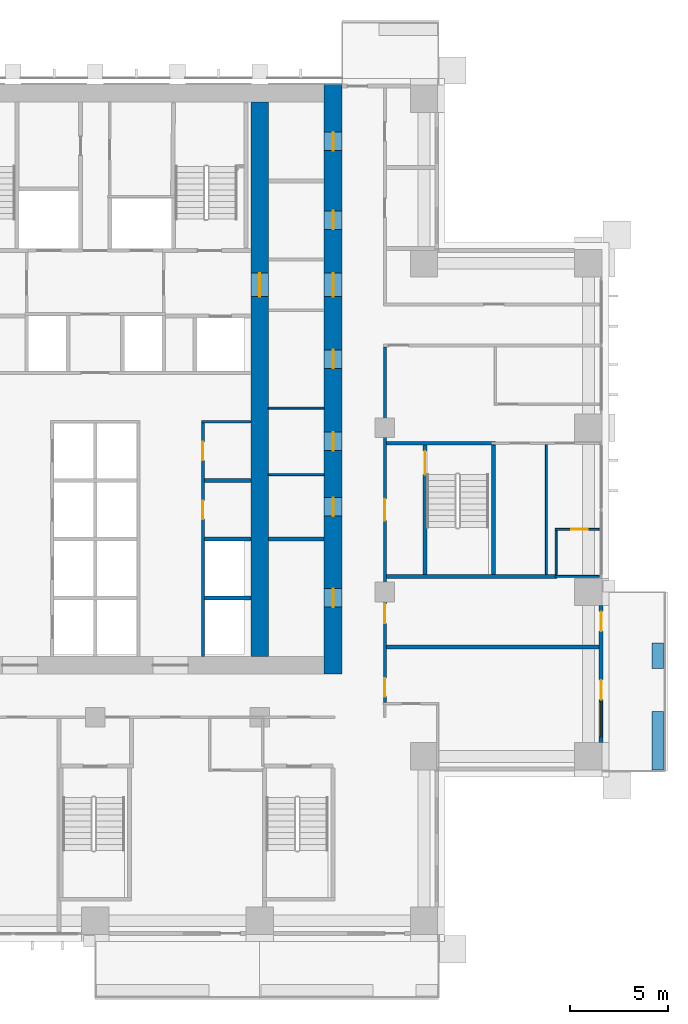
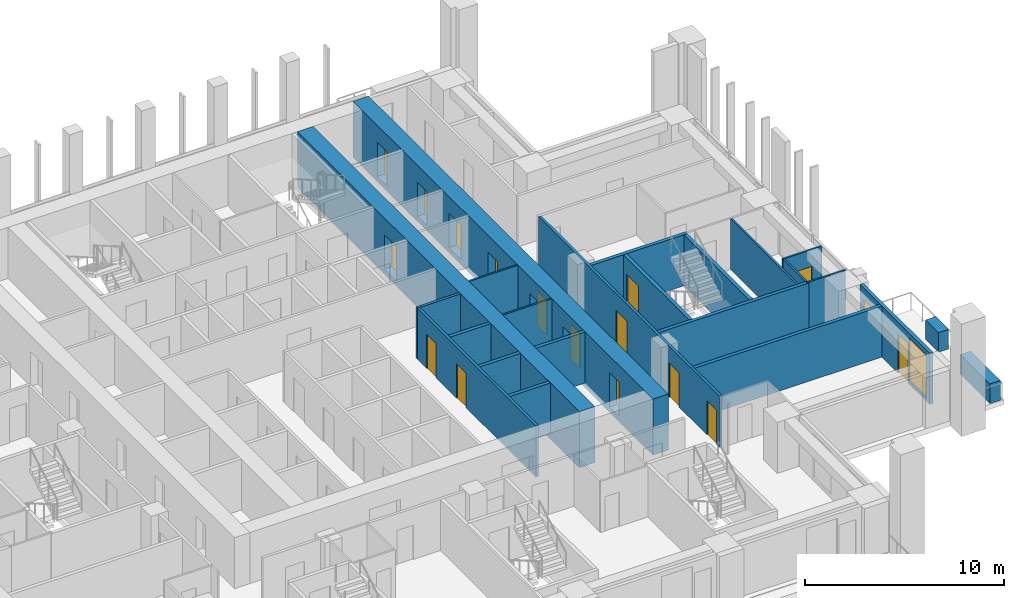
# One storey, part 11 of 19: 23 walls, 17 doors, 1 window, 18 openings.
"""IFC4 building model written with IfcOpenShell, lengths in metres."""

from ifc_helpers import new_model, si_unit, direction, frame, frame_2d, origin, place, context, subcontext, project, spatial, rectangle, extrude, material, layer, layer_set, type_object, element, fill, save


model = new_model("IFC4")

# Units and contexts
model_context = context("Model", 3, precision=1e-05, world=origin(), true_north=direction((0.0, 1.0)))
body_context = subcontext(model_context, "Body", "Model", "MODEL_VIEW")
ifc_project = project(units=[si_unit("LENGTHUNIT", "METRE"), si_unit("AREAUNIT", "SQUARE_METRE"), si_unit("VOLUMEUNIT", "CUBIC_METRE"), si_unit("PLANEANGLEUNIT", "RADIAN"), si_unit("MASSUNIT", "GRAM", prefix="KILO")], contexts=[model_context])

# Site, building, storey
site_placement = place(None, origin())
site = spatial("IfcSite", under=ifc_project, at=site_placement, CompositionType="ELEMENT")
building_placement = place(site_placement, origin())
building = spatial("IfcBuilding", under=site, at=building_placement, Name="Vermilion Ogive Tower", CompositionType="ELEMENT")
storey_placement = place(building_placement, frame((0.0, 0.0, 62.10009765625)))
storey = spatial("IfcBuildingStorey", under=building, at=storey_placement, Name="L14", CompositionType="ELEMENT", Elevation=62.10009765625)

# Wall, openings, doors
ifc_material_1 = material(Name="Concrete B80", Category="concrete")
ifc_layer_1 = layer(ifc_material_1, 0.89990234375)
ifc_layer_set_1 = layer_set([ifc_layer_1], Name="Core wall 900 B80")
wall_type_1 = type_object("IfcWallType", Name="Core wall 900 B80", PredefinedType="SHEAR", material=ifc_layer_set_1)
wall_1_placement = place(storey_placement, frame((12.14990234375, -8.39990234375, -0.320068359375), z_axis=(0.0, 0.0, 1.0), x_axis=(0.0, 1.0, 0.0)))
wall_1 = element("IfcWall", 1, at=wall_1_placement, inside=storey, type_object=wall_type_1, Name="L14-CORE-E", PredefinedType="SHEAR", context=body_context, shape_type="SweptSolid", body=[
    extrude(rectangle(XDim=30.14990234375, YDim=0.89990234375, at=frame_2d((15.074951171875, 0.0))), origin(), (0.0, 0.0, 1.0), 3.449951171875),
])
opening_1_placement = place(wall_1_placement, frame((3.425048828125, 0.0, 0.320068359375)))
opening_1 = element("IfcOpeningElement", 2, at=opening_1_placement, cuts=wall_1, Name="Opening DAC023", PredefinedType="OPENING", context=body_context, shape_type="SweptSolid", body=[
    extrude(rectangle(XDim=0.949951171875, YDim=2.10009765625, at=frame_2d((0.47509765625, 1.050048828125))), frame((0.0, 0.4599609375, 0.0), z_axis=(0.0, -1.0, 0.0), x_axis=(1.0, 0.0, 0.0)), (0.0, 0.0, 1.0), 0.919921875),
])
opening_2_placement = place(wall_1_placement, frame((8.074951171875, 0.0, 0.320068359375)))
opening_2 = element("IfcOpeningElement", 3, at=opening_2_placement, cuts=wall_1, Name="Opening DAC024", PredefinedType="OPENING", context=body_context, shape_type="SweptSolid", body=[
    extrude(rectangle(XDim=0.949951171875, YDim=2.10009765625, at=frame_2d((0.47509765625, 1.050048828125))), frame((0.0, 0.4599609375, 0.0), z_axis=(0.0, -1.0, 0.0), x_axis=(1.0, 0.0, 0.0)), (0.0, 0.0, 1.0), 0.919921875),
])
opening_3_placement = place(wall_1_placement, frame((11.425048828125, 0.0, 0.320068359375)))
opening_3 = element("IfcOpeningElement", 4, at=opening_3_placement, cuts=wall_1, Name="Opening DAC025", PredefinedType="OPENING", context=body_context, shape_type="SweptSolid", body=[
    extrude(rectangle(XDim=0.949951171875, YDim=2.10009765625, at=frame_2d((0.47509765625, 1.050048828125))), frame((0.0, 0.4599609375, 0.0), z_axis=(0.0, -1.0, 0.0), x_axis=(1.0, 0.0, 0.0)), (0.0, 0.0, 1.0), 0.919921875),
])
opening_4_placement = place(wall_1_placement, frame((15.625, 0.0, 0.320068359375)))
opening_4 = element("IfcOpeningElement", 5, at=opening_4_placement, cuts=wall_1, Name="Opening DAC026", PredefinedType="OPENING", context=body_context, shape_type="SweptSolid", body=[
    extrude(rectangle(XDim=0.949951171875, YDim=2.10009765625, at=frame_2d((0.47509765625, 1.050048828125))), frame((0.0, 0.4599609375, 0.0), z_axis=(0.0, -1.0, 0.0), x_axis=(1.0, 0.0, 0.0)), (0.0, 0.0, 1.0), 0.919921875),
])
opening_5_placement = place(wall_1_placement, frame((22.72509765625, 0.0, 0.320068359375)))
opening_5 = element("IfcOpeningElement", 6, at=opening_5_placement, cuts=wall_1, Name="Opening DAC027", PredefinedType="OPENING", context=body_context, shape_type="SweptSolid", body=[
    extrude(rectangle(XDim=0.949951171875, YDim=2.10009765625, at=frame_2d((0.47509765625, 1.050048828125))), frame((0.0, 0.4599609375, 0.0), z_axis=(0.0, -1.0, 0.0), x_axis=(1.0, 0.0, 0.0)), (0.0, 0.0, 1.0), 0.919921875),
])
opening_6_placement = place(wall_1_placement, frame((26.75, 0.0, 0.320068359375)))
opening_6 = element("IfcOpeningElement", 7, at=opening_6_placement, cuts=wall_1, Name="Opening DAC028", PredefinedType="OPENING", context=body_context, shape_type="SweptSolid", body=[
    extrude(rectangle(XDim=0.949951171875, YDim=2.10009765625, at=frame_2d((0.47509765625, 1.050048828125))), frame((0.0, 0.4599609375, 0.0), z_axis=(0.0, -1.0, 0.0), x_axis=(1.0, 0.0, 0.0)), (0.0, 0.0, 1.0), 0.919921875),
])
opening_7_placement = place(wall_1_placement, frame((19.300048828125, 0.0, 0.320068359375)))
opening_7 = element("IfcOpeningElement", 8, at=opening_7_placement, cuts=wall_1, Name="Opening DAL005", PredefinedType="OPENING", context=body_context, shape_type="SweptSolid", body=[
    extrude(rectangle(XDim=1.199951171875, YDim=2.10009765625, at=frame_2d((0.60009765625, 1.050048828125))), frame((0.0, 0.4599609375, 0.0), z_axis=(0.0, -1.0, 0.0), x_axis=(1.0, 0.0, 0.0)), (0.0, 0.0, 1.0), 0.919921875),
])
ifc_material_2 = material(Name="Timber door leaf", Category="wood")
door_type_1 = type_object("IfcDoorType", Name="Link door 1200 x 2100 FD60S", OperationType="SINGLE_SWING_LEFT", PredefinedType="DOOR", material=ifc_material_2)
door_1_placement = place(opening_7_placement, origin())
door_1 = element("IfcDoor", 9, at=door_1_placement, inside=storey, type_object=door_type_1, Name="L14-CKE-XL", OperationType="SINGLE_SWING_LEFT", OverallHeight=2.10009765625, OverallWidth=1.199951171875, PredefinedType="DOOR", context=body_context, shape_type="SweptSolid", body=[
    extrude(rectangle(XDim=1.199951171875, YDim=2.10009765625, at=frame_2d((0.60009765625, 1.050048828125))), frame((0.0, 0.02490234375, 0.0), z_axis=(0.0, -1.0, 0.0), x_axis=(1.0, 0.0, 0.0)), (0.0, 0.0, 1.0), 0.050048828125),
])
fill(opening_7, door_1)
ifc_material_3 = material(Name="Timber door leaf", Category="wood")
door_type_2 = type_object("IfcDoorType", Name="Service door 950 x 2100 FD60", OperationType="SINGLE_SWING_LEFT", PredefinedType="DOOR", material=ifc_material_3)
door_2_placement = place(opening_1_placement, origin())
door_2 = element("IfcDoor", 10, at=door_2_placement, inside=storey, type_object=door_type_2, Name="L14-CKE-XR0", OperationType="SINGLE_SWING_LEFT", OverallHeight=2.10009765625, OverallWidth=0.949951171875, PredefinedType="DOOR", context=body_context, shape_type="SweptSolid", body=[
    extrude(rectangle(XDim=0.949951171875, YDim=2.10009765625, at=frame_2d((0.47509765625, 1.050048828125))), frame((0.0, 0.02490234375, 0.0), z_axis=(0.0, -1.0, 0.0), x_axis=(1.0, 0.0, 0.0)), (0.0, 0.0, 1.0), 0.050048828125),
])
fill(opening_1, door_2)
door_3_placement = place(opening_2_placement, origin())
door_3 = element("IfcDoor", 11, at=door_3_placement, inside=storey, type_object=door_type_2, Name="L14-CKE-XR1", OperationType="SINGLE_SWING_LEFT", OverallHeight=2.10009765625, OverallWidth=0.949951171875, PredefinedType="DOOR", context=body_context, shape_type="SweptSolid", body=[
    extrude(rectangle(XDim=0.949951171875, YDim=2.10009765625, at=frame_2d((0.47509765625, 1.050048828125))), frame((0.0, 0.02490234375, 0.0), z_axis=(0.0, -1.0, 0.0), x_axis=(1.0, 0.0, 0.0)), (0.0, 0.0, 1.0), 0.050048828125),
])
fill(opening_2, door_3)
door_4_placement = place(opening_3_placement, origin())
door_4 = element("IfcDoor", 12, at=door_4_placement, inside=storey, type_object=door_type_2, Name="L14-CKE-XR2", OperationType="SINGLE_SWING_LEFT", OverallHeight=2.10009765625, OverallWidth=0.949951171875, PredefinedType="DOOR", context=body_context, shape_type="SweptSolid", body=[
    extrude(rectangle(XDim=0.949951171875, YDim=2.10009765625, at=frame_2d((0.47509765625, 1.050048828125))), frame((0.0, 0.02490234375, 0.0), z_axis=(0.0, -1.0, 0.0), x_axis=(1.0, 0.0, 0.0)), (0.0, 0.0, 1.0), 0.050048828125),
])
fill(opening_3, door_4)
door_5_placement = place(opening_4_placement, origin())
door_5 = element("IfcDoor", 13, at=door_5_placement, inside=storey, type_object=door_type_2, Name="L14-CKE-XR3", OperationType="SINGLE_SWING_LEFT", OverallHeight=2.10009765625, OverallWidth=0.949951171875, PredefinedType="DOOR", context=body_context, shape_type="SweptSolid", body=[
    extrude(rectangle(XDim=0.949951171875, YDim=2.10009765625, at=frame_2d((0.47509765625, 1.050048828125))), frame((0.0, 0.02490234375, 0.0), z_axis=(0.0, -1.0, 0.0), x_axis=(1.0, 0.0, 0.0)), (0.0, 0.0, 1.0), 0.050048828125),
])
fill(opening_4, door_5)
door_6_placement = place(opening_5_placement, origin())
door_6 = element("IfcDoor", 14, at=door_6_placement, inside=storey, type_object=door_type_2, Name="L14-CKE-XR4", OperationType="SINGLE_SWING_LEFT", OverallHeight=2.10009765625, OverallWidth=0.949951171875, PredefinedType="DOOR", context=body_context, shape_type="SweptSolid", body=[
    extrude(rectangle(XDim=0.949951171875, YDim=2.10009765625, at=frame_2d((0.47509765625, 1.050048828125))), frame((0.0, 0.02490234375, 0.0), z_axis=(0.0, -1.0, 0.0), x_axis=(1.0, 0.0, 0.0)), (0.0, 0.0, 1.0), 0.050048828125),
])
fill(opening_5, door_6)
door_7_placement = place(opening_6_placement, origin())
door_7 = element("IfcDoor", 15, at=door_7_placement, inside=storey, type_object=door_type_2, Name="L14-CKE-XR5", OperationType="SINGLE_SWING_LEFT", OverallHeight=2.10009765625, OverallWidth=0.949951171875, PredefinedType="DOOR", context=body_context, shape_type="SweptSolid", body=[
    extrude(rectangle(XDim=0.949951171875, YDim=2.10009765625, at=frame_2d((0.47509765625, 1.050048828125))), frame((0.0, 0.02490234375, 0.0), z_axis=(0.0, -1.0, 0.0), x_axis=(1.0, 0.0, 0.0)), (0.0, 0.0, 1.0), 0.050048828125),
])
fill(opening_6, door_7)

# Wall, opening, door
wall_2_placement = place(storey_placement, frame((8.39990234375, -7.5, -0.320068359375), z_axis=(0.0, 0.0, 1.0), x_axis=(0.0, 1.0, 0.0)))
wall_2 = element("IfcWall", 16, at=wall_2_placement, inside=storey, type_object=wall_type_1, Name="L14-CORE-WEB2", PredefinedType="SHEAR", context=body_context, shape_type="SweptSolid", body=[
    extrude(rectangle(XDim=28.35009765625, YDim=0.89990234375, at=frame_2d((14.175048828125, 0.0))), origin(), (0.0, 0.0, 1.0), 3.449951171875),
])
opening_8_placement = place(wall_2_placement, frame((18.39990234375, 0.0, 0.320068359375)))
opening_8 = element("IfcOpeningElement", 17, at=opening_8_placement, cuts=wall_2, Name="Opening DAO005", PredefinedType="OPENING", context=body_context, shape_type="SweptSolid", body=[
    extrude(rectangle(XDim=1.199951171875, YDim=2.10009765625, at=frame_2d((0.60009765625, 1.050048828125))), frame((0.0, 0.4599609375, 0.0), z_axis=(0.0, -1.0, 0.0), x_axis=(1.0, 0.0, 0.0)), (0.0, 0.0, 1.0), 0.919921875),
])
door_8_placement = place(opening_8_placement, origin())
door_8 = element("IfcDoor", 18, at=door_8_placement, inside=storey, type_object=door_type_1, Name="L14-CKE-XW", OperationType="SINGLE_SWING_LEFT", OverallHeight=2.10009765625, OverallWidth=1.199951171875, PredefinedType="DOOR", context=body_context, shape_type="SweptSolid", body=[
    extrude(rectangle(XDim=1.199951171875, YDim=2.10009765625, at=frame_2d((0.60009765625, 1.050048828125))), frame((0.0, 0.02490234375, 0.0), z_axis=(0.0, -1.0, 0.0), x_axis=(1.0, 0.0, 0.0)), (0.0, 0.0, 1.0), 0.050048828125),
])
fill(opening_8, door_8)

# Wall
ifc_material_4 = material(Name="Gypsum board partition on steel studs", Category="steel")
ifc_layer_2 = layer(ifc_material_4, 0.10009765625)
ifc_layer_set_2 = layer_set([ifc_layer_2], Name="Partition 100 bath")
wall_type_2 = type_object("IfcWallType", Name="Partition 100 bath", PredefinedType="PARTITIONING", material=ifc_layer_set_2)
wall_3_placement = place(storey_placement, frame((23.5, -3.39990234375, 0.0), z_axis=(0.0, 0.0, 1.0), x_axis=(1.0, 0.0, 0.0)))
element("IfcWall", 19, at=wall_3_placement, inside=storey, type_object=wall_type_2, Name="L14-W-W020", PredefinedType="PARTITIONING", context=body_context, shape_type="SweptSolid", body=[
    extrude(rectangle(XDim=2.25, YDim=0.10009765625, at=frame_2d((1.125, 0.0))), origin(), (0.0, 0.0, 1.0), 3.1298828125),
])

# Wall, opening, door
wall_4_placement = place(storey_placement, frame((23.5, -1.0, 0.0), z_axis=(0.0, 0.0, 1.0), x_axis=(1.0, 0.0, 0.0)))
wall_4 = element("IfcWall", 20, at=wall_4_placement, inside=storey, type_object=wall_type_2, Name="L14-W-W022", PredefinedType="PARTITIONING", context=body_context, shape_type="SweptSolid", body=[
    extrude(rectangle(XDim=2.25, YDim=0.10009765625, at=frame_2d((1.125, 0.0))), origin(), (0.0, 0.0, 1.0), 3.1298828125),
])
opening_9_placement = place(wall_4_placement, frame((0.824951171875, 0.0, 0.0)))
opening_9 = element("IfcOpeningElement", 21, at=opening_9_placement, cuts=wall_4, Name="Opening D1G5018", PredefinedType="OPENING", context=body_context, shape_type="SweptSolid", body=[
    extrude(rectangle(XDim=0.85009765625, YDim=2.10009765625, at=frame_2d((0.425048828125, 1.050048828125))), frame((0.0, 0.06005859375, 0.0), z_axis=(0.0, -1.0, 0.0), x_axis=(1.0, 0.0, 0.0)), (0.0, 0.0, 1.0), 0.1201171875),
])
ifc_material_5 = material(Name="Timber door leaf", Category="wood")
door_type_3 = type_object("IfcDoorType", Name="Bath door 850 x 2100 FD30", OperationType="SINGLE_SWING_LEFT", PredefinedType="DOOR", material=ifc_material_5)
door_9_placement = place(opening_9_placement, origin())
door_9 = element("IfcDoor", 22, at=door_9_placement, inside=storey, type_object=door_type_3, Name="L14-D-D018", OperationType="SINGLE_SWING_RIGHT", OverallHeight=2.10009765625, OverallWidth=0.85009765625, PredefinedType="DOOR", context=body_context, shape_type="SweptSolid", body=[
    extrude(rectangle(XDim=0.85009765625, YDim=2.10009765625, at=frame_2d((0.425048828125, 1.050048828125))), frame((0.0, 0.02490234375, 0.0), z_axis=(0.0, -1.0, 0.0), x_axis=(1.0, 0.0, 0.0)), (0.0, 0.0, 1.0), 0.050048828125),
])
fill(opening_9, door_9)

# Walls
wall_5_placement = place(storey_placement, frame((23.550048828125, -3.300048828125, 0.0), z_axis=(0.0, 0.0, 1.0), x_axis=(0.0, 1.0, 0.0)))
element("IfcWall", 23, at=wall_5_placement, inside=storey, type_object=wall_type_2, Name="L14-W-W060", PredefinedType="PARTITIONING", context=body_context, shape_type="SweptSolid", body=[
    extrude(rectangle(XDim=2.25, YDim=0.10009765625, at=frame_2d((1.125, 0.0))), origin(), (0.0, 0.0, 1.0), 3.1298828125),
])
for number, where, z_axis, x_axis, name in (
    (24, (8.85107421875, 1.800048828125, 0.0), (0.0, 0.0, 1.0), (1.0, 0.0, 0.0), "L14-CKE-W-W002"),
    (25, (8.85107421875, 5.199951171875, 0.0), (0.0, 0.0, 1.0), (1.0, 0.0, 0.0), "L14-CKE-W-W003"),
):
    element("IfcWall", number, at=place(storey_placement, frame(where, z_axis=z_axis, x_axis=x_axis)), inside=storey, type_object=wall_type_2, Name=name, PredefinedType="PARTITIONING", context=body_context, shape_type="SweptSolid", body=[
        extrude(rectangle(XDim=2.847900390625, YDim=0.10009765625, at=frame_2d((1.423828125, 0.0))), origin(), (0.0, 0.0, 1.0), 3.1298828125),
    ])
ifc_material_6 = material(Name="Gypsum board partition on steel studs", Category="steel")
ifc_layer_3 = layer(ifc_material_6, 0.10009765625)
ifc_layer_set_3 = layer_set([ifc_layer_3], Name="Partition 100 inner")
wall_type_3 = type_object("IfcWallType", Name="Partition 100 inner", PredefinedType="PARTITIONING", material=ifc_layer_set_3)
wall_6_placement = place(storey_placement, frame((23.050048828125, -3.300048828125, 0.0), z_axis=(0.0, 0.0, 1.0), x_axis=(0.0, 1.0, 0.0)))
element("IfcWall", 26, at=wall_6_placement, inside=storey, type_object=wall_type_3, Name="L14-W-W059", PredefinedType="PARTITIONING", context=body_context, shape_type="SweptSolid", body=[
    extrude(rectangle(XDim=6.650146484375, YDim=0.10009765625, at=frame_2d((3.3251953125, 0.0))), origin(), (0.0, 0.0, 1.0), 3.1298828125),
])

# Wall, openings, doors
ifc_material_7 = material(Name="Gypsum board partition on steel studs", Category="steel")
ifc_layer_4 = layer(ifc_material_7, 0.14990234375)
ifc_layer_set_4 = layer_set([ifc_layer_4], Name="Partition 150 corridor")
wall_type_4 = type_object("IfcWallType", Name="Partition 150 corridor", PredefinedType="PARTITIONING", material=ifc_layer_set_4)
wall_7_placement = place(storey_placement, frame((14.800048828125, -9.85009765625, 0.0), z_axis=(0.0, 0.0, 1.0), x_axis=(0.0, 1.0, 0.0)))
wall_7 = element("IfcWall", 27, at=wall_7_placement, inside=storey, type_object=wall_type_4, Name="L14-W-W053", PredefinedType="PARTITIONING", context=body_context, shape_type="SweptSolid", body=[
    extrude(rectangle(XDim=18.175048828125, YDim=0.14990234375, at=frame_2d((9.08740234375, 0.0))), origin(), (0.0, 0.0, 1.0), 3.1298828125),
])
opening_10_placement = place(wall_7_placement, frame((0.300048828125, 0.0, 0.0)))
opening_10 = element("IfcOpeningElement", 28, at=opening_10_placement, cuts=wall_7, Name="Opening D1G5012", PredefinedType="OPENING", context=body_context, shape_type="SweptSolid", body=[
    extrude(rectangle(XDim=0.949951171875, YDim=2.10009765625, at=frame_2d((0.47509765625, 1.050048828125))), frame((0.0, 0.0849609375, 0.0), z_axis=(0.0, -1.0, 0.0), x_axis=(1.0, 0.0, 0.0)), (0.0, 0.0, 1.0), 0.169921875),
])
opening_11_placement = place(wall_7_placement, frame((9.300048828125, 0.0, 0.0)))
opening_11 = element("IfcOpeningElement", 29, at=opening_11_placement, cuts=wall_7, Name="Opening D1G5027", PredefinedType="OPENING", context=body_context, shape_type="SweptSolid", body=[
    extrude(rectangle(XDim=1.10009765625, YDim=2.10009765625, at=frame_2d((0.550048828125, 1.050048828125))), frame((0.0, 0.0849609375, 0.0), z_axis=(0.0, -1.0, 0.0), x_axis=(1.0, 0.0, 0.0)), (0.0, 0.0, 1.0), 0.169921875),
])
opening_12_placement = place(wall_7_placement, frame((4.050048828125, 0.0, 0.0)))
opening_12 = element("IfcOpeningElement", 30, at=opening_12_placement, cuts=wall_7, Name="Opening D1G5032", PredefinedType="OPENING", context=body_context, shape_type="SweptSolid", body=[
    extrude(rectangle(XDim=1.0, YDim=2.10009765625, at=frame_2d((0.5, 1.050048828125))), frame((0.0, 0.0849609375, 0.0), z_axis=(0.0, -1.0, 0.0), x_axis=(1.0, 0.0, 0.0)), (0.0, 0.0, 1.0), 0.169921875),
])
ifc_material_8 = material(Name="Timber door leaf", Category="wood")
door_type_4 = type_object("IfcDoorType", Name="Stair door 1100 x 2100 FD60S", OperationType="SINGLE_SWING_LEFT", PredefinedType="DOOR", material=ifc_material_8)
door_10_placement = place(opening_11_placement, origin())
door_10 = element("IfcDoor", 31, at=door_10_placement, inside=storey, type_object=door_type_4, Name="L14-D-D027", OperationType="SINGLE_SWING_LEFT", OverallHeight=2.10009765625, OverallWidth=1.10009765625, PredefinedType="DOOR", context=body_context, shape_type="SweptSolid", body=[
    extrude(rectangle(XDim=1.10009765625, YDim=2.10009765625, at=frame_2d((0.550048828125, 1.050048828125))), frame((0.0, 0.02490234375, 0.0), z_axis=(0.0, -1.0, 0.0), x_axis=(1.0, 0.0, 0.0)), (0.0, 0.0, 1.0), 0.050048828125),
])
fill(opening_11, door_10)
ifc_material_9 = material(Name="Timber door leaf", Category="wood")
door_type_5 = type_object("IfcDoorType", Name="Unit door 1000 x 2100 FD30S", OperationType="SINGLE_SWING_LEFT", PredefinedType="DOOR", material=ifc_material_9)
door_11_placement = place(opening_12_placement, origin())
door_11 = element("IfcDoor", 32, at=door_11_placement, inside=storey, type_object=door_type_5, Name="L14-D-D032", OperationType="SINGLE_SWING_RIGHT", OverallHeight=2.10009765625, OverallWidth=1.0, PredefinedType="DOOR", context=body_context, shape_type="SweptSolid", body=[
    extrude(rectangle(XDim=1.0, YDim=2.10009765625, at=frame_2d((0.5, 1.050048828125))), frame((0.0, 0.02490234375, 0.0), z_axis=(0.0, -1.0, 0.0), x_axis=(1.0, 0.0, 0.0)), (0.0, 0.0, 1.0), 0.050048828125),
])
fill(opening_12, door_11)
ifc_material_10 = material(Name="Timber door leaf", Category="wood")
door_type_6 = type_object("IfcDoorType", Name="Unit door 950 x 2100 FD30S", OperationType="SINGLE_SWING_LEFT", PredefinedType="DOOR", material=ifc_material_10)
door_12_placement = place(opening_10_placement, origin())
door_12 = element("IfcDoor", 33, at=door_12_placement, inside=storey, type_object=door_type_6, Name="L14-D-D012", OperationType="SINGLE_SWING_RIGHT", OverallHeight=2.10009765625, OverallWidth=0.949951171875, PredefinedType="DOOR", context=body_context, shape_type="SweptSolid", body=[
    extrude(rectangle(XDim=0.949951171875, YDim=2.10009765625, at=frame_2d((0.47509765625, 1.050048828125))), frame((0.0, 0.02490234375, 0.0), z_axis=(0.0, -1.0, 0.0), x_axis=(1.0, 0.0, 0.0)), (0.0, 0.0, 1.0), 0.050048828125),
])
fill(opening_10, door_12)

# Wall
wall_8_placement = place(storey_placement, frame((5.425048828125, 4.5, 0.0), z_axis=(0.0, 0.0, 1.0), x_axis=(1.0, 0.0, 0.0)))
element("IfcWall", 34, at=wall_8_placement, inside=storey, type_object=wall_type_4, Name="L14-CK-W-W012", PredefinedType="PARTITIONING", context=body_context, shape_type="SweptSolid", body=[
    extrude(rectangle(XDim=2.52392578125, YDim=0.14990234375, at=frame_2d((1.261962890625, 0.0))), origin(), (0.0, 0.0, 1.0), 3.1298828125),
])

# Wall, openings, doors
wall_9_placement = place(storey_placement, frame((5.5, -7.4990234375, 0.0), z_axis=(0.0, 0.0, 1.0), x_axis=(0.0, 1.0, 0.0)))
wall_9 = element("IfcWall", 35, at=wall_9_placement, inside=storey, type_object=wall_type_4, Name="L14-CK-W-W040", PredefinedType="PARTITIONING", context=body_context, shape_type="SweptSolid", body=[
    extrude(rectangle(XDim=11.924072265625, YDim=0.14990234375, at=frame_2d((5.9619140625, 0.0))), origin(), (0.0, 0.0, 1.0), 3.1298828125),
])
opening_13_placement = place(wall_9_placement, frame((7.02392578125, 0.0, 0.0)))
opening_13 = element("IfcOpeningElement", 36, at=opening_13_placement, cuts=wall_9, Name="Opening DAA096", PredefinedType="OPENING", context=body_context, shape_type="SweptSolid", body=[
    extrude(rectangle(XDim=0.949951171875, YDim=2.10009765625, at=frame_2d((0.47509765625, 1.050048828125))), frame((0.0, 0.0849609375, 0.0), z_axis=(0.0, -1.0, 0.0), x_axis=(1.0, 0.0, 0.0)), (0.0, 0.0, 1.0), 0.169921875),
])
opening_14_placement = place(wall_9_placement, frame((10.02392578125, 0.0, 0.0)))
opening_14 = element("IfcOpeningElement", 37, at=opening_14_placement, cuts=wall_9, Name="Opening DAA097", PredefinedType="OPENING", context=body_context, shape_type="SweptSolid", body=[
    extrude(rectangle(XDim=0.949951171875, YDim=2.10009765625, at=frame_2d((0.47509765625, 1.050048828125))), frame((0.0, 0.0849609375, 0.0), z_axis=(0.0, -1.0, 0.0), x_axis=(1.0, 0.0, 0.0)), (0.0, 0.0, 1.0), 0.169921875),
])
door_13_placement = place(opening_13_placement, origin())
door_13 = element("IfcDoor", 38, at=door_13_placement, inside=storey, type_object=door_type_2, Name="L14-CK-D-D009", OperationType="SINGLE_SWING_RIGHT", OverallHeight=2.10009765625, OverallWidth=0.949951171875, PredefinedType="DOOR", context=body_context, shape_type="SweptSolid", body=[
    extrude(rectangle(XDim=0.949951171875, YDim=2.10009765625, at=frame_2d((0.47509765625, 1.050048828125))), frame((0.0, 0.02490234375, 0.0), z_axis=(0.0, -1.0, 0.0), x_axis=(1.0, 0.0, 0.0)), (0.0, 0.0, 1.0), 0.050048828125),
])
fill(opening_13, door_13)
door_14_placement = place(opening_14_placement, origin())
door_14 = element("IfcDoor", 39, at=door_14_placement, inside=storey, type_object=door_type_2, Name="L14-CK-D-D010", OperationType="SINGLE_SWING_RIGHT", OverallHeight=2.10009765625, OverallWidth=0.949951171875, PredefinedType="DOOR", context=body_context, shape_type="SweptSolid", body=[
    extrude(rectangle(XDim=0.949951171875, YDim=2.10009765625, at=frame_2d((0.47509765625, 1.050048828125))), frame((0.0, 0.02490234375, 0.0), z_axis=(0.0, -1.0, 0.0), x_axis=(1.0, 0.0, 0.0)), (0.0, 0.0, 1.0), 0.050048828125),
])
fill(opening_14, door_14)

# Walls
ifc_material_11 = material(Name="Gypsum board partition on steel studs", Category="steel")
ifc_layer_5 = layer(ifc_material_11, 0.199951171875)
ifc_layer_set_5 = layer_set([ifc_layer_5], Name="Partition 200 party")
wall_type_5 = type_object("IfcWallType", Name="Partition 200 party", PredefinedType="PARTITIONING", material=ifc_layer_set_5)
wall_10_placement = place(storey_placement, frame((14.875, -7.0, 0.0), z_axis=(0.0, 0.0, 1.0), x_axis=(1.0, 0.0, 0.0)))
element("IfcWall", 40, at=wall_10_placement, inside=storey, type_object=wall_type_5, Name="L14-W-W015", PredefinedType="PARTITIONING", context=body_context, shape_type="SweptSolid", body=[
    extrude(rectangle(XDim=10.875, YDim=0.199951171875, at=frame_2d((5.4375, 0.0))), origin(), (0.0, 0.0, 1.0), 3.1298828125),
])
for number, where, z_axis, x_axis, name in (
    (41, (5.574951171875, -4.5, 0.0), (0.0, 0.0, 1.0), (1.0, 0.0, 0.0), "L14-CK-W-W003"),
    (42, (5.574951171875, -1.5, 0.0), (0.0, 0.0, 1.0), (1.0, 0.0, 0.0), "L14-CK-W-W006"),
    (43, (5.574951171875, 1.5, 0.0), (0.0, 0.0, 1.0), (1.0, 0.0, 0.0), "L14-CK-W-W009"),
):
    element("IfcWall", number, at=place(storey_placement, frame(where, z_axis=z_axis, x_axis=x_axis)), inside=storey, type_object=wall_type_5, Name=name, PredefinedType="PARTITIONING", context=body_context, shape_type="SweptSolid", body=[
        extrude(rectangle(XDim=2.3740234375, YDim=0.199951171875, at=frame_2d((1.18701171875, 0.0))), origin(), (0.0, 0.0, 1.0), 3.1298828125),
    ])
wall_11_placement = place(storey_placement, frame((8.85107421875, -1.5, 0.0), z_axis=(0.0, 0.0, 1.0), x_axis=(1.0, 0.0, 0.0)))
element("IfcWall", 44, at=wall_11_placement, inside=storey, type_object=wall_type_5, Name="L14-CKE-W-W001", PredefinedType="PARTITIONING", context=body_context, shape_type="SweptSolid", body=[
    extrude(rectangle(XDim=2.847900390625, YDim=0.199951171875, at=frame_2d((1.423828125, 0.0))), origin(), (0.0, 0.0, 1.0), 3.1298828125),
])
ifc_material_12 = material(Name="Concrete B60", Category="concrete")
ifc_layer_6 = layer(ifc_material_12, 0.199951171875)
ifc_layer_set_6 = layer_set([ifc_layer_6], Name="Stair shaft wall 200 Concrete B60")
wall_type_6 = type_object("IfcWallType", Name="Stair shaft wall 200 Concrete B60", PredefinedType="SOLIDWALL", material=ifc_layer_set_6)
wall_12_placement = place(storey_placement, frame((14.875, -3.39990234375, 0.0), z_axis=(0.0, 0.0, 1.0), x_axis=(1.0, 0.0, 0.0)))
element("IfcWall", 45, at=wall_12_placement, inside=storey, type_object=wall_type_6, Name="L14-W-W019", PredefinedType="SOLIDWALL", context=body_context, shape_type="SweptSolid", body=[
    extrude(rectangle(XDim=8.72509765625, YDim=0.199951171875, at=frame_2d((4.362548828125, 0.0))), origin(), (0.0, 0.0, 1.0), 3.1298828125),
])
wall_13_placement = place(storey_placement, frame((14.875, 3.39990234375, 0.0), z_axis=(0.0, 0.0, 1.0), x_axis=(1.0, 0.0, 0.0)))
element("IfcWall", 46, at=wall_13_placement, inside=storey, type_object=wall_type_6, Name="L14-W-W025", PredefinedType="SOLIDWALL", context=body_context, shape_type="SweptSolid", body=[
    extrude(rectangle(XDim=5.574951171875, YDim=0.199951171875, at=frame_2d((2.78759765625, 0.0))), origin(), (0.0, 0.0, 1.0), 3.1298828125),
])

# Wall, opening, door
wall_14_placement = place(storey_placement, frame((16.85009765625, -3.300048828125, 0.0), z_axis=(0.0, 0.0, 1.0), x_axis=(0.0, 1.0, 0.0)))
wall_14 = element("IfcWall", 47, at=wall_14_placement, inside=storey, type_object=wall_type_6, Name="L14-W-W055", PredefinedType="SOLIDWALL", context=body_context, shape_type="SweptSolid", body=[
    extrude(rectangle(XDim=6.60009765625, YDim=0.199951171875, at=frame_2d((3.300048828125, 0.0))), origin(), (0.0, 0.0, 1.0), 3.1298828125),
])
opening_15_placement = place(wall_14_placement, frame((5.10009765625, 0.0, 0.0)))
opening_15 = element("IfcOpeningElement", 48, at=opening_15_placement, cuts=wall_14, Name="Opening D1G5028", PredefinedType="OPENING", context=body_context, shape_type="SweptSolid", body=[
    extrude(rectangle(XDim=1.199951171875, YDim=2.10009765625, at=frame_2d((0.60009765625, 1.050048828125))), frame((0.0, 0.10986328125, 0.0), z_axis=(0.0, -1.0, 0.0), x_axis=(1.0, 0.0, 0.0)), (0.0, 0.0, 1.0), 0.219970703125),
])
ifc_material_13 = material(Name="Timber door leaf", Category="wood")
door_type_7 = type_object("IfcDoorType", Name="Stair door 1200 x 2100 FD60S", OperationType="SINGLE_SWING_LEFT", PredefinedType="DOOR", material=ifc_material_13)
door_15_placement = place(opening_15_placement, origin())
door_15 = element("IfcDoor", 49, at=door_15_placement, inside=storey, type_object=door_type_7, Name="L14-D-D028", OperationType="SINGLE_SWING_LEFT", OverallHeight=2.10009765625, OverallWidth=1.199951171875, PredefinedType="DOOR", context=body_context, shape_type="SweptSolid", body=[
    extrude(rectangle(XDim=1.199951171875, YDim=2.10009765625, at=frame_2d((0.60009765625, 1.050048828125))), frame((0.0, 0.02490234375, 0.0), z_axis=(0.0, -1.0, 0.0), x_axis=(1.0, 0.0, 0.0)), (0.0, 0.0, 1.0), 0.050048828125),
])
fill(opening_15, door_15)

# Walls
wall_15_placement = place(storey_placement, frame((20.35009765625, -3.300048828125, 0.0), z_axis=(0.0, 0.0, 1.0), x_axis=(0.0, 1.0, 0.0)))
element("IfcWall", 50, at=wall_15_placement, inside=storey, type_object=wall_type_6, Name="L14-W-W057-A", PredefinedType="SOLIDWALL", context=body_context, shape_type="SweptSolid", body=[
    extrude(rectangle(XDim=6.60009765625, YDim=0.199951171875, at=frame_2d((3.300048828125, 0.0))), origin(), (0.0, 0.0, 1.0), 3.1298828125),
])
ifc_material_14 = material(Name="Concrete B40", Category="concrete")
ifc_layer_7 = layer(ifc_material_14, 0.60009765625)
ifc_layer_set_7 = layer_set([ifc_layer_7], Name="Structural planter")
wall_type_7 = type_object("IfcWallType", Name="Structural planter", PredefinedType="USERDEFINED", material=ifc_layer_set_7)
wall_16_placement = place(storey_placement, frame((28.75, -13.2900390625, -0.0400390625), z_axis=(0.0, 0.0, 1.0), x_axis=(0.0, 1.0, 0.0)))
element("IfcWall", 51, at=wall_16_placement, inside=storey, type_object=wall_type_7, Name="Planter E01A1", ObjectType="PLANTER", PredefinedType="USERDEFINED", context=body_context, shape_type="SweptSolid", body=[
    extrude(rectangle(XDim=2.989990234375, YDim=0.60009765625, at=frame_2d((1.4951171875, 0.0))), origin(), (0.0, 0.0, 1.0), 1.199951171875),
])
wall_17_placement = place(storey_placement, frame((28.75, -8.10009765625, -0.0400390625), z_axis=(0.0, 0.0, 1.0), x_axis=(0.0, 1.0, 0.0)))
element("IfcWall", 52, at=wall_17_placement, inside=storey, type_object=wall_type_7, Name="Planter E01A2", ObjectType="PLANTER", PredefinedType="USERDEFINED", context=body_context, shape_type="SweptSolid", body=[
    extrude(rectangle(XDim=1.300048828125, YDim=0.60009765625, at=frame_2d((0.64990234375, 0.0))), origin(), (0.0, 0.0, 1.0), 1.199951171875),
])

# Wall, openings, doors, window
ifc_material_15 = material(Name="Aluminium window wall framing", Category="aluminium")
ifc_layer_8 = layer(ifc_material_15, 0.199951171875)
ifc_layer_set_8 = layer_set([ifc_layer_8], Name="Window wall")
wall_type_8 = type_object("IfcWallType", Name="Window wall", PredefinedType="STANDARD", material=ifc_layer_set_8)
wall_18_placement = place(storey_placement, frame((25.85009765625, -11.89990234375, 0.0), z_axis=(0.0, 0.0, 1.0), x_axis=(0.0, 1.0, 0.0)))
wall_18 = element("IfcWall", 53, at=wall_18_placement, inside=storey, type_object=wall_type_8, Name="Window wall E1", PredefinedType="STANDARD", context=body_context, shape_type="SweptSolid", body=[
    extrude(rectangle(XDim=7.0, YDim=0.199951171875, at=frame_2d((3.5, 0.0))), origin(), (0.0, 0.0, 1.0), 3.1298828125),
])
opening_16_placement = place(wall_18_placement, frame((0.300048828125, 0.0, 0.199951171875)))
opening_16 = element("IfcOpeningElement", 54, at=opening_16_placement, cuts=wall_18, Name="Opening W1-E97", PredefinedType="OPENING", context=body_context, shape_type="SweptSolid", body=[
    extrude(rectangle(XDim=1.800048828125, YDim=2.64990234375, at=frame_2d((0.89990234375, 1.324951171875))), frame((0.0, 0.10986328125, 0.0), z_axis=(0.0, -1.0, 0.0), x_axis=(1.0, 0.0, 0.0)), (0.0, 0.0, 1.0), 0.219970703125),
])
opening_17_placement = place(wall_18_placement, frame((2.199951171875, 0.0, 0.0)))
opening_17 = element("IfcOpeningElement", 55, at=opening_17_placement, cuts=wall_18, Name="Opening D1-E97", PredefinedType="OPENING", context=body_context, shape_type="SweptSolid", body=[
    extrude(rectangle(XDim=1.0, YDim=2.39990234375, at=frame_2d((0.5, 1.199951171875))), frame((0.0, 0.10986328125, 0.0), z_axis=(0.0, -1.0, 0.0), x_axis=(1.0, 0.0, 0.0)), (0.0, 0.0, 1.0), 0.219970703125),
])
opening_18_placement = place(wall_18_placement, frame((5.699951171875, 0.0, 0.0)))
opening_18 = element("IfcOpeningElement", 56, at=opening_18_placement, cuts=wall_18, Name="Opening D1-E98", PredefinedType="OPENING", context=body_context, shape_type="SweptSolid", body=[
    extrude(rectangle(XDim=1.0, YDim=2.39990234375, at=frame_2d((0.5, 1.199951171875))), frame((0.0, 0.10986328125, 0.0), z_axis=(0.0, -1.0, 0.0), x_axis=(1.0, 0.0, 0.0)), (0.0, 0.0, 1.0), 0.219970703125),
])
ifc_material_16 = material(Name="Aluminium framed glazed door", Category="aluminium")
door_type_8 = type_object("IfcDoorType", Name="Balcony door D1", OperationType="SINGLE_SWING_LEFT", PredefinedType="DOOR", material=ifc_material_16)
door_16_placement = place(opening_17_placement, origin())
door_16 = element("IfcDoor", 57, at=door_16_placement, inside=storey, type_object=door_type_8, Name="Balcony door E97", OperationType="SINGLE_SWING_LEFT", OverallHeight=2.39990234375, OverallWidth=1.0, PredefinedType="DOOR", context=body_context, shape_type="SweptSolid", body=[
    extrude(rectangle(XDim=1.0, YDim=2.39990234375, at=frame_2d((0.5, 1.199951171875))), frame((0.0, 0.02490234375, 0.0), z_axis=(0.0, -1.0, 0.0), x_axis=(1.0, 0.0, 0.0)), (0.0, 0.0, 1.0), 0.050048828125),
])
fill(opening_17, door_16)
door_17_placement = place(opening_18_placement, origin())
door_17 = element("IfcDoor", 58, at=door_17_placement, inside=storey, type_object=door_type_8, Name="Balcony door E98", OperationType="SINGLE_SWING_LEFT", OverallHeight=2.39990234375, OverallWidth=1.0, PredefinedType="DOOR", context=body_context, shape_type="SweptSolid", body=[
    extrude(rectangle(XDim=1.0, YDim=2.39990234375, at=frame_2d((0.5, 1.199951171875))), frame((0.0, 0.02490234375, 0.0), z_axis=(0.0, -1.0, 0.0), x_axis=(1.0, 0.0, 0.0)), (0.0, 0.0, 1.0), 0.050048828125),
])
fill(opening_18, door_17)
ifc_material_17 = material(Name="Aluminium framed double glazing", Category="aluminium")
window_type = type_object("IfcWindowType", Name="Guest window W1", PartitioningType="SINGLE_PANEL", PredefinedType="WINDOW", material=ifc_material_17)
window_placement = place(opening_16_placement, origin())
window = element("IfcWindow", 59, at=window_placement, inside=storey, type_object=window_type, Name="Window E97", OverallHeight=2.64990234375, OverallWidth=1.800048828125, PartitioningType="SINGLE_PANEL", PredefinedType="WINDOW", context=body_context, shape_type="SweptSolid", body=[
    extrude(rectangle(XDim=1.800048828125, YDim=2.64990234375, at=frame_2d((0.89990234375, 1.324951171875))), frame((0.0, 0.030029296875, 0.0), z_axis=(0.0, -1.0, 0.0), x_axis=(1.0, 0.0, 0.0)), (0.0, 0.0, 1.0), 0.06005859375),
])
fill(opening_16, window)

save(model, "model.ifc")
